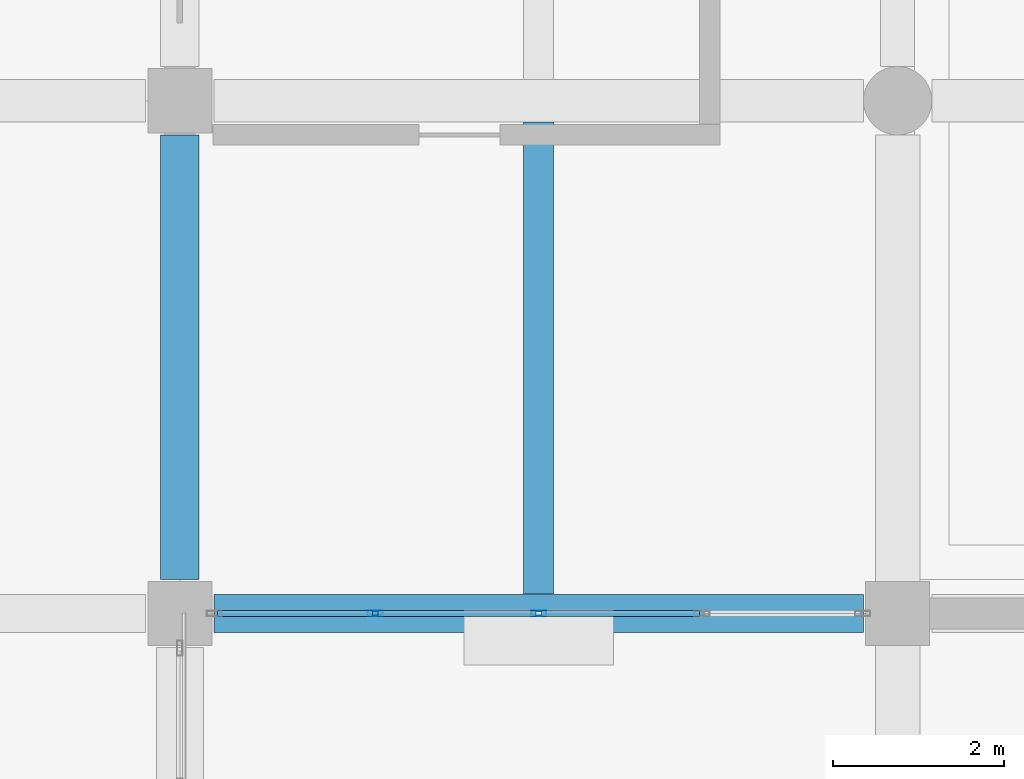
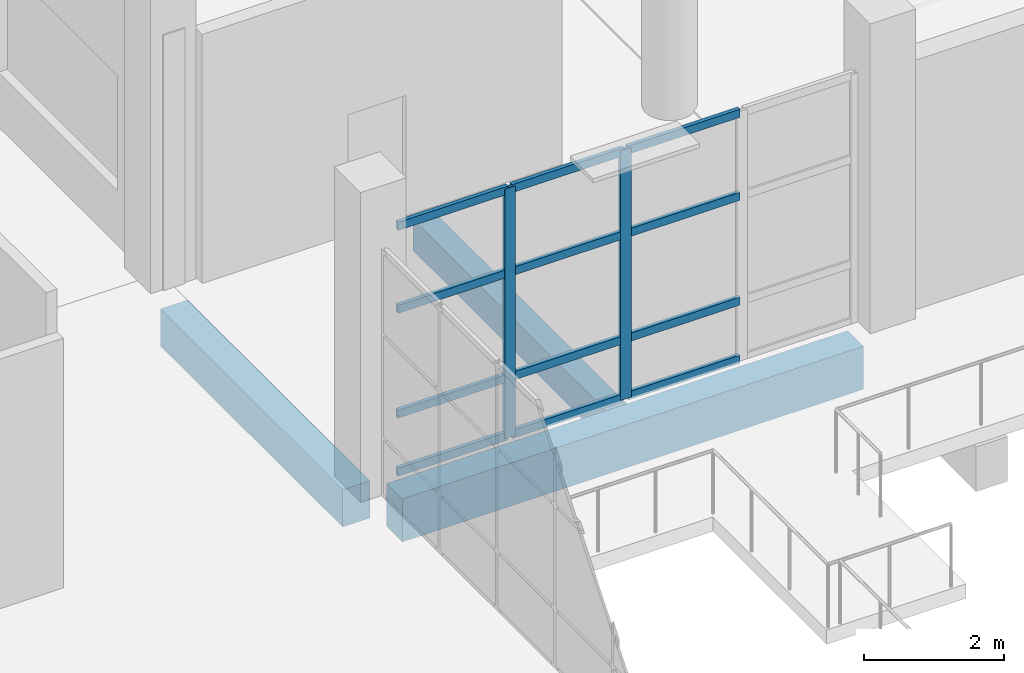
# One storey, part 11 of 78: 14 members, 3 beams, 1 element without a shape of its own.
"""IFC4 building model written with IfcOpenShell, lengths in metres."""

from ifc_helpers import new_model, si_unit, direction, frame, origin, origin_2d, place, context, subcontext, project, spatial, rectangle, hollow_rectangle, extrude, material, material_profile, profile_set, type_object, element, aggregate, save


model = new_model("IFC4")

# Units and contexts
model_context = context("Model", 3, precision=1e-05, world=origin(), true_north=direction((0.0, 1.0)))
body_context = subcontext(model_context, "Body", "Model", "MODEL_VIEW")
ifc_project = project(units=[si_unit("LENGTHUNIT", "METRE"), si_unit("AREAUNIT", "SQUARE_METRE"), si_unit("VOLUMEUNIT", "CUBIC_METRE"), si_unit("PLANEANGLEUNIT", "RADIAN"), si_unit("MASSUNIT", "GRAM", prefix="KILO")], contexts=[model_context])

# Site, building, storey
site_placement = place(None, origin())
site = spatial("IfcSite", under=ifc_project, at=site_placement, CompositionType="ELEMENT")
building_placement = place(site_placement, origin())
building = spatial("IfcBuilding", under=site, at=building_placement, Name="Pellamere Symphony Hall", CompositionType="ELEMENT")
storey_placement = place(building_placement, origin())
storey = spatial("IfcBuildingStorey", under=building, at=storey_placement, Name="L00", CompositionType="ELEMENT", Elevation=0.0)

# Curtain wall, members
ifc_material_1 = material(Name="Thermally Broken Anodised Aluminium 6063-T6 Curtain Wall", Category="aluminium")
curtain_wall_type = type_object("IfcCurtainWallType", Name="Curtain Wall CW-02 (Winter-Garden South Concourse Curtain Wall)", PredefinedType="NOTDEFINED", material=ifc_material_1)
curtain_wall_placement = place(storey_placement, origin())
curtain_wall = element("IfcCurtainWall", 1, at=curtain_wall_placement, inside=storey, type_object=curtain_wall_type, Name="Winter-Garden South Curtain Wall (L00 Bay 1)", PredefinedType="NOTDEFINED")
ifc_material_2 = material(Name="Anodised Architectural Aluminium 6063-T6", Category="aluminium")
ifc_material_profile_1 = material_profile(ifc_material_2, hollow_rectangle(XDim=0.06494140625, YDim=0.179931640625, WallThickness=0.00390625, at=origin_2d()), Name="ALU-M65X180X4")
ifc_profile_set_1 = profile_set([ifc_material_profile_1], Name="Anodised Architectural Aluminium 6063-T6")
member_type_1 = type_object("IfcMemberType", Name="Curtain Wall Mullion ML-02 ALU-M65X180X4", PredefinedType="MULLION", material=ifc_profile_set_1)
member_1_placement = place(storey_placement, frame((44.28759765625, 18.0, 0.0), z_axis=(0.0, 0.0, 1.0), x_axis=(0.0, 1.0, 0.0)))
member_1 = element("IfcMember", 2, at=member_1_placement, type_object=member_type_1, Name="CW2-064 crystal mullion 2", PredefinedType="MULLION", context=body_context, shape_type="SweptSolid", body=[
    extrude(hollow_rectangle(XDim=0.06494140625, YDim=0.179931640625, WallThickness=0.00390625, at=origin_2d()), origin(), (0.0, 0.0, 1.0), 4.35009765625),
])
member_2_placement = place(storey_placement, frame((46.199951171875, 18.0, 0.0), z_axis=(0.0, 0.0, 1.0), x_axis=(0.0, 1.0, 0.0)))
member_2 = element("IfcMember", 3, at=member_2_placement, type_object=member_type_1, Name="CW2-064 crystal mullion 3", PredefinedType="MULLION", context=body_context, shape_type="SweptSolid", body=[
    extrude(hollow_rectangle(XDim=0.06494140625, YDim=0.179931640625, WallThickness=0.00390625, at=origin_2d()), origin(), (0.0, 0.0, 1.0), 4.35009765625),
])
ifc_material_profile_2 = material_profile(ifc_material_2, hollow_rectangle(XDim=0.06494140625, YDim=0.139892578125, WallThickness=0.00390625, at=origin_2d()), Name="ALU-T65X140X4")
ifc_profile_set_2 = profile_set([ifc_material_profile_2], Name="Anodised Architectural Aluminium 6063-T6")
member_type_2 = type_object("IfcMemberType", Name="Curtain Wall Transom TR-02 ALU-T65X140X4", PredefinedType="USERDEFINED", material=ifc_profile_set_2)
member_3_placement = place(storey_placement, frame((42.43994140625, 18.0, 0.032470703125), z_axis=(1.0, 0.0, 0.0), x_axis=(0.0, 1.0, 0.0)))
member_3 = element("IfcMember", 4, at=member_3_placement, type_object=member_type_2, Name="CW2-064 crystal transom 1.1", ObjectType="TRANSOM", PredefinedType="USERDEFINED", context=body_context, shape_type="SweptSolid", body=[
    extrude(hollow_rectangle(XDim=0.06494140625, YDim=0.139892578125, WallThickness=0.00390625, at=origin_2d()), origin(), (0.0, 0.0, 1.0), 1.81494140625),
])
member_4_placement = place(storey_placement, frame((42.43994140625, 18.0, 1.0439453125), z_axis=(1.0, 0.0, 0.0), x_axis=(0.0, 1.0, 0.0)))
member_4 = element("IfcMember", 5, at=member_4_placement, type_object=member_type_2, Name="CW2-064 crystal transom 1.2", ObjectType="TRANSOM", PredefinedType="USERDEFINED", context=body_context, shape_type="SweptSolid", body=[
    extrude(hollow_rectangle(XDim=0.06494140625, YDim=0.139892578125, WallThickness=0.00390625, at=origin_2d()), origin(), (0.0, 0.0, 1.0), 1.81494140625),
])
member_5_placement = place(storey_placement, frame((42.43994140625, 18.0, 2.87109375), z_axis=(1.0, 0.0, 0.0), x_axis=(0.0, 1.0, 0.0)))
member_5 = element("IfcMember", 6, at=member_5_placement, type_object=member_type_2, Name="CW2-064 crystal transom 1.3", ObjectType="TRANSOM", PredefinedType="USERDEFINED", context=body_context, shape_type="SweptSolid", body=[
    extrude(hollow_rectangle(XDim=0.06494140625, YDim=0.139892578125, WallThickness=0.00390625, at=origin_2d()), origin(), (0.0, 0.0, 1.0), 1.81494140625),
])
member_6_placement = place(storey_placement, frame((42.43994140625, 18.0, 4.3173828125), z_axis=(1.0, 0.0, 0.0), x_axis=(0.0, 1.0, 0.0)))
member_6 = element("IfcMember", 7, at=member_6_placement, type_object=member_type_2, Name="CW2-064 crystal transom 1.4", ObjectType="TRANSOM", PredefinedType="USERDEFINED", context=body_context, shape_type="SweptSolid", body=[
    extrude(hollow_rectangle(XDim=0.06494140625, YDim=0.139892578125, WallThickness=0.00390625, at=origin_2d()), origin(), (0.0, 0.0, 1.0), 1.81494140625),
])
member_7_placement = place(storey_placement, frame((44.320068359375, 18.0, 0.032470703125), z_axis=(1.0, 0.0, 0.0), x_axis=(0.0, 1.0, 0.0)))
member_7 = element("IfcMember", 8, at=member_7_placement, type_object=member_type_2, Name="CW2-064 crystal transom 2.1", ObjectType="TRANSOM", PredefinedType="USERDEFINED", context=body_context, shape_type="SweptSolid", body=[
    extrude(hollow_rectangle(XDim=0.06494140625, YDim=0.139892578125, WallThickness=0.00390625, at=origin_2d()), origin(), (0.0, 0.0, 1.0), 1.847412109375),
])
member_8_placement = place(storey_placement, frame((44.320068359375, 18.0, 1.0439453125), z_axis=(1.0, 0.0, 0.0), x_axis=(0.0, 1.0, 0.0)))
member_8 = element("IfcMember", 9, at=member_8_placement, type_object=member_type_2, Name="CW2-064 crystal transom 2.2", ObjectType="TRANSOM", PredefinedType="USERDEFINED", context=body_context, shape_type="SweptSolid", body=[
    extrude(hollow_rectangle(XDim=0.06494140625, YDim=0.139892578125, WallThickness=0.00390625, at=origin_2d()), origin(), (0.0, 0.0, 1.0), 1.847412109375),
])
member_9_placement = place(storey_placement, frame((44.320068359375, 18.0, 2.87109375), z_axis=(1.0, 0.0, 0.0), x_axis=(0.0, 1.0, 0.0)))
member_9 = element("IfcMember", 10, at=member_9_placement, type_object=member_type_2, Name="CW2-064 crystal transom 2.3", ObjectType="TRANSOM", PredefinedType="USERDEFINED", context=body_context, shape_type="SweptSolid", body=[
    extrude(hollow_rectangle(XDim=0.06494140625, YDim=0.139892578125, WallThickness=0.00390625, at=origin_2d()), origin(), (0.0, 0.0, 1.0), 1.847412109375),
])
member_10_placement = place(storey_placement, frame((44.320068359375, 18.0, 4.3173828125), z_axis=(1.0, 0.0, 0.0), x_axis=(0.0, 1.0, 0.0)))
member_10 = element("IfcMember", 11, at=member_10_placement, type_object=member_type_2, Name="CW2-064 crystal transom 2.4", ObjectType="TRANSOM", PredefinedType="USERDEFINED", context=body_context, shape_type="SweptSolid", body=[
    extrude(hollow_rectangle(XDim=0.06494140625, YDim=0.139892578125, WallThickness=0.00390625, at=origin_2d()), origin(), (0.0, 0.0, 1.0), 1.847412109375),
])
member_11_placement = place(storey_placement, frame((46.232421875, 18.0, 0.032470703125), z_axis=(1.0, 0.0, 0.0), x_axis=(0.0, 1.0, 0.0)))
member_11 = element("IfcMember", 12, at=member_11_placement, type_object=member_type_2, Name="CW2-064 crystal transom 3.1", ObjectType="TRANSOM", PredefinedType="USERDEFINED", context=body_context, shape_type="SweptSolid", body=[
    extrude(hollow_rectangle(XDim=0.06494140625, YDim=0.139892578125, WallThickness=0.00390625, at=origin_2d()), origin(), (0.0, 0.0, 1.0), 1.84765625),
])
member_12_placement = place(storey_placement, frame((46.232421875, 18.0, 1.0439453125), z_axis=(1.0, 0.0, 0.0), x_axis=(0.0, 1.0, 0.0)))
member_12 = element("IfcMember", 13, at=member_12_placement, type_object=member_type_2, Name="CW2-064 crystal transom 3.2", ObjectType="TRANSOM", PredefinedType="USERDEFINED", context=body_context, shape_type="SweptSolid", body=[
    extrude(hollow_rectangle(XDim=0.06494140625, YDim=0.139892578125, WallThickness=0.00390625, at=origin_2d()), origin(), (0.0, 0.0, 1.0), 1.84765625),
])
member_13_placement = place(storey_placement, frame((46.232421875, 18.0, 2.87109375), z_axis=(1.0, 0.0, 0.0), x_axis=(0.0, 1.0, 0.0)))
member_13 = element("IfcMember", 14, at=member_13_placement, type_object=member_type_2, Name="CW2-064 crystal transom 3.3", ObjectType="TRANSOM", PredefinedType="USERDEFINED", context=body_context, shape_type="SweptSolid", body=[
    extrude(hollow_rectangle(XDim=0.06494140625, YDim=0.139892578125, WallThickness=0.00390625, at=origin_2d()), origin(), (0.0, 0.0, 1.0), 1.84765625),
])
member_14_placement = place(storey_placement, frame((46.232421875, 18.0, 4.3173828125), z_axis=(1.0, 0.0, 0.0), x_axis=(0.0, 1.0, 0.0)))
member_14 = element("IfcMember", 15, at=member_14_placement, type_object=member_type_2, Name="CW2-064 crystal transom 3.4", ObjectType="TRANSOM", PredefinedType="USERDEFINED", context=body_context, shape_type="SweptSolid", body=[
    extrude(hollow_rectangle(XDim=0.06494140625, YDim=0.139892578125, WallThickness=0.00390625, at=origin_2d()), origin(), (0.0, 0.0, 1.0), 1.84765625),
])
aggregate(curtain_wall, [member_1, member_2, member_3, member_4, member_5, member_6, member_7, member_8, member_9, member_10, member_11, member_12, member_13, member_14])

# Beams
ifc_material_3 = material(Name="Concrete 40 MPa", Category="concrete")
ifc_material_profile_3 = material_profile(ifc_material_3, rectangle(XDim=0.449951171875, YDim=0.64990234375, at=origin_2d()), Name="RC 450x650")
ifc_profile_set_3 = profile_set([ifc_material_profile_3], Name="Concrete 40 MPa")
beam_type_1 = type_object("IfcBeamType", Name="RC CB-08 450x650", PredefinedType="BEAM", material=ifc_profile_set_3)
beam_1_placement = place(storey_placement, frame((42.0, 18.39990234375, -0.625), z_axis=(0.0, 1.0, 0.0), x_axis=(-1.0, 0.0, 0.0)))
element("IfcBeam", 16, at=beam_1_placement, inside=storey, type_object=beam_type_1, Name="Girder CB-08-Y0228 (L00)", PredefinedType="BEAM", context=body_context, shape_type="SweptSolid", body=[
    extrude(rectangle(XDim=0.449951171875, YDim=0.64990234375, at=origin_2d()), origin(), (0.0, 0.0, 1.0), 5.2001953125),
])
ifc_material_4 = material(Name="Concrete 35 MPa", Category="concrete")
ifc_material_profile_4 = material_profile(ifc_material_4, rectangle(XDim=0.35009765625, YDim=0.550048828125, at=origin_2d()), Name="RC 350x550")
ifc_profile_set_4 = profile_set([ifc_material_profile_4], Name="Concrete 35 MPa")
beam_type_2 = type_object("IfcBeamType", Name="RC CB-10 350x550", PredefinedType="BEAM", material=ifc_profile_set_4)
beam_2_placement = place(storey_placement, frame((46.199951171875, 18.22509765625, -0.590087890625), z_axis=(0.0, 1.0, 0.0), x_axis=(-1.0, 0.0, 0.0)))
element("IfcBeam", 17, at=beam_2_placement, inside=storey, type_object=beam_type_2, Name="Secondary Floor Beam CB-10-M0502 (L00)", PredefinedType="BEAM", context=body_context, shape_type="SweptSolid", body=[
    extrude(rectangle(XDim=0.35009765625, YDim=0.550048828125, at=origin_2d()), origin(), (0.0, 0.0, 1.0), 5.52490234375),
])
ifc_material_profile_5 = material_profile(ifc_material_3, rectangle(XDim=0.449951171875, YDim=0.75, at=origin_2d()), Name="RC 450x750")
ifc_profile_set_5 = profile_set([ifc_material_profile_5], Name="Concrete 40 MPa")
beam_type_3 = type_object("IfcBeamType", Name="RC CB-12 450x750", PredefinedType="SPANDREL", material=ifc_profile_set_5)
beam_3_placement = place(storey_placement, frame((42.39990234375, 18.0, -0.675048828125), z_axis=(1.0, 0.0, 0.0), x_axis=(0.0, 1.0, 0.0)))
element("IfcBeam", 18, at=beam_3_placement, inside=storey, type_object=beam_type_3, Name="Girder CB-12-X0016 (L00)", PredefinedType="SPANDREL", context=body_context, shape_type="SweptSolid", body=[
    extrude(rectangle(XDim=0.449951171875, YDim=0.75, at=origin_2d()), origin(), (0.0, 0.0, 1.0), 7.60009765625),
])

save(model, "model.ifc")
